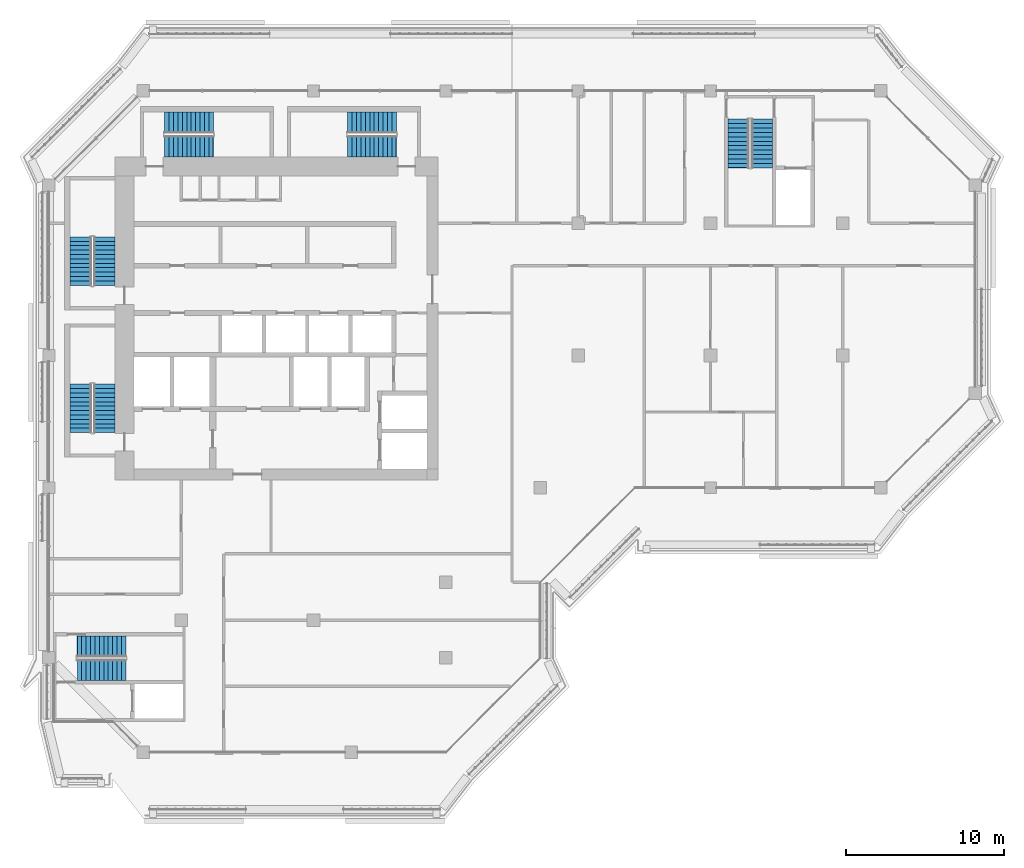
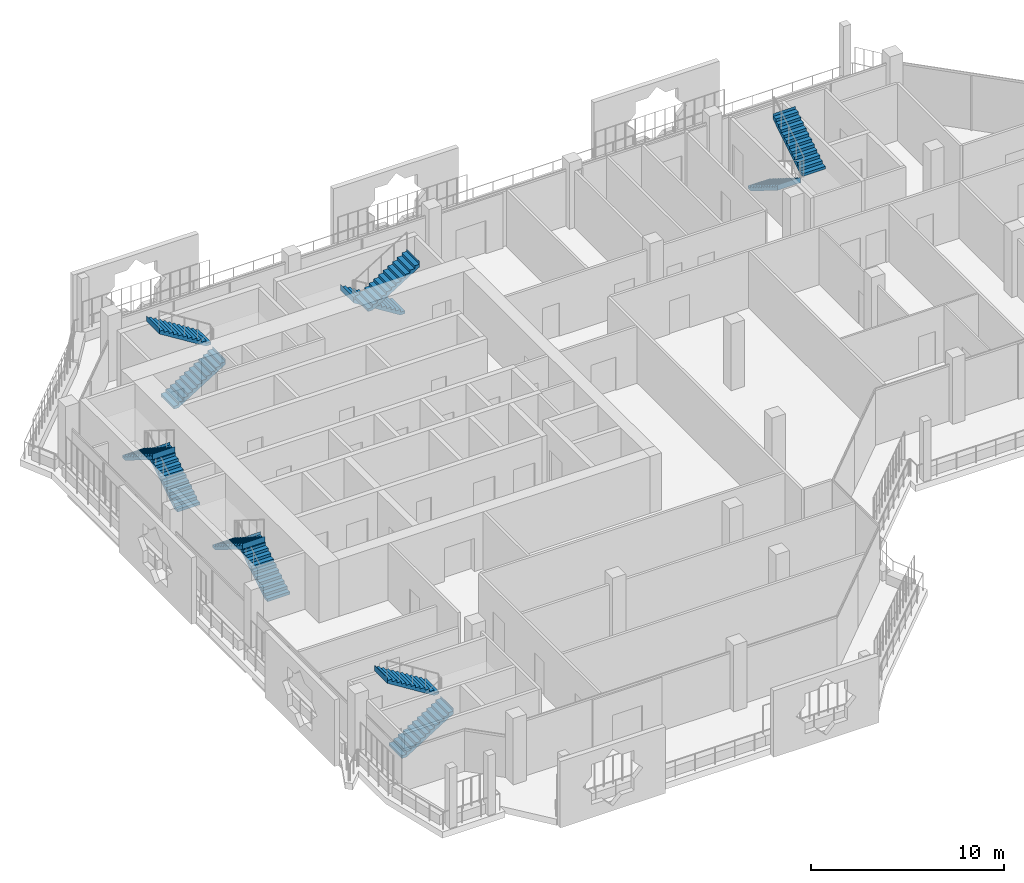
# One storey, part 14 of 21: 12 stair flights, 6 elements without a shape of their own.
"""IFC4 building model written with IfcOpenShell, lengths in metres."""

import ifcopenshell
import ifcopenshell.guid

model = None  # the IFC model being written
_history = None  # IfcOwnerHistory: only IFC2X3 demands one
_inside = {}  # id of a spatial element -> (the spatial element, [elements in it])
_under = {}  # id of a project, library or spatial element -> (it, [spatial elements below it])
_declared = {}  # id of a project -> (the project, [libraries it declares])
_typed = {}  # id of a type object -> (the type object, [elements of that type])
_made_of = {}  # id of a material, layer set ... -> (it, [elements and type objects made of it])


def new_model(schema):
    """Start an empty IFC model of exactly this schema.

    Asked for "IFC4X3", IfcOpenShell would pick the latest addendum, in which some entities
    have other attributes; the version numbers below select the first issue.
    IFC2X3 requires an IfcOwnerHistory on every rooted entity: one is made here for all.
    """
    global model, _history
    if schema == "IFC4X3":
        model = ifcopenshell.file(schema_version=(4, 3, 0, 0))
    else:
        model = ifcopenshell.file(schema=schema)
    _inside.clear()
    _under.clear()
    _declared.clear()
    _typed.clear()
    _made_of.clear()
    _history = None
    if model.schema == "IFC2X3":
        org = make("IfcOrganization", Name="unknown")
        user = make(
            "IfcPersonAndOrganization",
            ThePerson=make("IfcPerson", FamilyName="unknown"),
            TheOrganization=org,
        )
        app = make(
            "IfcApplication",
            ApplicationDeveloper=org,
            Version="unknown",
            ApplicationFullName="unknown",
            ApplicationIdentifier="unknown",
        )
        _history = make(
            "IfcOwnerHistory",
            OwningUser=user,
            OwningApplication=app,
            ChangeAction="ADDED",
            CreationDate=0,
        )
    return model


def make(cls, **values):
    """One entity of the class cls with the attributes given. An attribute that is None is left unset."""
    return model.create_entity(
        cls, **{name: value for name, value in values.items() if value is not None}
    )


def rooted(cls, **values):
    """An entity with a GlobalId (a new one), such as an element, a storey or a relation."""
    return make(cls, GlobalId=ifcopenshell.guid.new(), OwnerHistory=_history, **values)


def si_unit(unit_type, name, prefix=None):
    """IfcSIUnit, for example si_unit("LENGTHUNIT", "METRE", prefix="MILLI")."""
    return make("IfcSIUnit", UnitType=unit_type, Prefix=prefix, Name=name)


def assignment(units):
    """IfcUnitAssignment: the units of a project."""
    return None if units is None else make("IfcUnitAssignment", Units=units)


def point(xyz):
    """IfcCartesianPoint."""
    return None if xyz is None else make("IfcCartesianPoint", Coordinates=xyz)


def direction(xyz):
    """IfcDirection."""
    return None if xyz is None else make("IfcDirection", DirectionRatios=xyz)


def frame(location, z_axis=None, x_axis=None):
    """IfcAxis2Placement3D, a coordinate frame: its origin and axes. An axis left out is left unset."""
    return make(
        "IfcAxis2Placement3D",
        Location=point(location),
        Axis=direction(z_axis),
        RefDirection=direction(x_axis),
    )


def origin():
    """The frame at (0, 0, 0) with its axes left unset."""
    return frame((0.0, 0.0, 0.0))


def place(relative_to, where):
    """IfcLocalPlacement: puts the frame where relative to a parent placement (None: the world)."""
    return make(
        "IfcLocalPlacement", PlacementRelTo=relative_to, RelativePlacement=where
    )


def context(
    kind, dimensions, precision=None, world=None, true_north=None, identifier=None
):
    """IfcGeometricRepresentationContext, for example the 3D "Model" context."""
    return make(
        "IfcGeometricRepresentationContext",
        ContextIdentifier=identifier,
        ContextType=kind,
        CoordinateSpaceDimension=dimensions,
        Precision=precision,
        WorldCoordinateSystem=world,
        TrueNorth=true_north,
    )


def subcontext(parent, identifier, kind, view, scale=None):
    """IfcGeometricRepresentationSubContext, for example "Body" below "Model"."""
    return make(
        "IfcGeometricRepresentationSubContext",
        ContextIdentifier=identifier,
        ContextType=kind,
        ParentContext=parent,
        TargetScale=scale,
        TargetView=view,
    )


def project(units=None, contexts=None):
    """IfcProject with its units and contexts."""
    return rooted(
        "IfcProject",
        Name="project",
        RepresentationContexts=contexts,
        UnitsInContext=assignment(units),
    )


def spatial(cls, under=None, at=None, **own):
    """A site, building, storey or space (cls), placed at a placement, below another one or the project."""
    s = rooted(cls, ObjectPlacement=at, **own)
    if under is not None:
        _under.setdefault(under.id(), (under, []))[1].append(s)
    return s


def polyline(points):
    """IfcPolyline through the points."""
    return make("IfcPolyline", Points=[point(p) for p in points])


def outline(outer, holes=None, kind="AREA"):
    """IfcArbitraryClosedProfileDef: a profile drawn as a closed curve; with holes, ...WithVoids."""
    if holes is None:
        return make("IfcArbitraryClosedProfileDef", ProfileType=kind, OuterCurve=outer)
    return make(
        "IfcArbitraryProfileDefWithVoids",
        ProfileType=kind,
        OuterCurve=outer,
        InnerCurves=holes,
    )


def extrude(swept, where, along, depth):
    """IfcExtrudedAreaSolid: the profile swept, set in the frame where, extruded along a direction by depth."""
    return make(
        "IfcExtrudedAreaSolid",
        SweptArea=swept,
        Position=where,
        ExtrudedDirection=direction(along),
        Depth=depth,
    )


def shape(context_of_items, identifier, shape_type, items):
    """IfcShapeRepresentation: the items that make up one representation, for example the "Body"."""
    return make(
        "IfcShapeRepresentation",
        ContextOfItems=context_of_items,
        RepresentationIdentifier=identifier,
        RepresentationType=shape_type,
        Items=items,
    )


def material(Name=None, Category=None):
    """IfcMaterial."""
    return make("IfcMaterial", Name=Name, Category=Category)


def made_of(thing, what):
    """Note that an element or type object is made of a material, layer set ...; save() writes the relation."""
    if what is not None:
        _made_of.setdefault(what.id(), (what, []))[1].append(thing)
    return thing


def type_object(cls, material=None, **own):
    """A type object (cls), such as IfcWallType, which elements share."""
    return made_of(rooted(cls, **own), material)


def element(
    cls,
    number,
    at=None,
    inside=None,
    cuts=None,
    type_object=None,
    material=None,
    context=None,
    identifier="Body",
    shape_type=None,
    held_by="IfcProductDefinitionShape",
    body=None,
    shapes=None,
    **own,
):
    """One element of the class cls, such as IfcWall. Its Tag is "e" and its number.

    at: its placement. inside: the storey or other place that contains it. cuts: it is an
    opening in that element (IfcRelVoidsElement). A single representation is given by context,
    identifier, shape_type and body (its items); several are given by shapes. held_by: the class
    of the entity that holds the representations. save() writes the other relations.
    """
    e = rooted(cls, Tag="e%d" % number, ObjectPlacement=at, **own)
    if body is not None:
        shapes = [shape(context, identifier, shape_type, body)]
    if shapes is not None:
        e.Representation = make(held_by, Representations=shapes)
    if inside is not None:
        _inside.setdefault(inside.id(), (inside, []))[1].append(e)
    if cuts is not None:
        rooted(
            "IfcRelVoidsElement", RelatingBuildingElement=cuts, RelatedOpeningElement=e
        )
    if type_object is not None:
        _typed.setdefault(type_object.id(), (type_object, []))[1].append(e)
    return made_of(e, material)


def aggregate(whole, parts):
    """IfcRelAggregates: a whole, such as a stair, and the parts it consists of."""
    return rooted("IfcRelAggregates", RelatingObject=whole, RelatedObjects=parts)


def save(model, path):
    """Write the relations noted so far, then the file.

    IfcRelAggregates (storeys below a building ...), IfcRelContainedInSpatialStructure (elements
    in a storey), IfcRelDefinesByType, IfcRelAssociatesMaterial and IfcRelDeclares: one each for
    every whole, place, type object, material and project.
    """
    for whole, parts in _under.values():
        aggregate(whole, parts)
    for where, things in _inside.values():
        rooted(
            "IfcRelContainedInSpatialStructure",
            RelatedElements=things,
            RelatingStructure=where,
        )
    for kind, things in _typed.values():
        rooted("IfcRelDefinesByType", RelatedObjects=things, RelatingType=kind)
    for what, things in _made_of.values():
        rooted("IfcRelAssociatesMaterial", RelatedObjects=things, RelatingMaterial=what)
    for by, libraries in _declared.values():
        rooted("IfcRelDeclares", RelatingContext=by, RelatedDefinitions=libraries)
    model.write(path)


model = new_model("IFC4")

# Units and contexts
model_context = context("Model", 3, precision=1e-05, world=origin(), true_north=direction((0.0, 1.0)))
body_context = subcontext(model_context, "Body", "Model", "MODEL_VIEW")
ifc_project = project(units=[si_unit("LENGTHUNIT", "METRE"), si_unit("AREAUNIT", "SQUARE_METRE"), si_unit("VOLUMEUNIT", "CUBIC_METRE"), si_unit("PLANEANGLEUNIT", "RADIAN"), si_unit("MASSUNIT", "GRAM", prefix="KILO")], contexts=[model_context])

# Site, building, storey
site_placement = place(None, origin())
site = spatial("IfcSite", under=ifc_project, at=site_placement, CompositionType="ELEMENT")
building_placement = place(site_placement, origin())
building = spatial("IfcBuilding", under=site, at=building_placement, Name="Kawkab Arch Medical Tower", CompositionType="ELEMENT")
storey_placement = place(building_placement, frame((0.0, 0.0, 311.199951171875)))
storey = spatial("IfcBuildingStorey", under=building, at=storey_placement, Name="L72", CompositionType="ELEMENT", Elevation=311.199951171875)

# Stair, stair flights
ifc_material_1 = material(Name="Concrete C40/50", Category="concrete")
stair_type = type_object("IfcStairType", Name="Exit stair 1350", PredefinedType="HALF_TURN_STAIR", material=ifc_material_1)
placement = place(storey_placement, origin())
stair_1 = element("IfcStair", 1, at=placement, inside=storey, type_object=stair_type, Name="L72 Exit stair ST1", PredefinedType="HALF_TURN_STAIR")
ifc_material_2 = material(Name="Concrete C40/50", Category="concrete")
stair_flight_type = type_object("IfcStairFlightType", Name="Exit stair flight 1350", PredefinedType="STRAIGHT", material=ifc_material_2)
stair_flight_1_placement = place(storey_placement, frame((3.52490234375, -12.35009765625, 0.0), z_axis=(0.0, 0.0, 1.0), x_axis=(0.0, 1.0, 0.0)))
stair_flight_1 = element("IfcStairFlight", 2, at=stair_flight_1_placement, type_object=stair_flight_type, Name="ST1 flight 1", NumberOfRisers=12, NumberOfTreads=11, PredefinedType="STRAIGHT", RiserHeight=0.175, TreadLength=0.28, context=body_context, shape_type="SweptSolid", body=[
    extrude(outline(polyline([(-0.0029296875, 0.0), (-0.0029296875, 0.175048828125), (0.0, 0.175048828125), (0.280029296875, 0.175048828125), (0.280029296875, 0.35009765625), (0.56005859375, 0.35009765625), (0.56005859375, 0.52490234375), (0.840087890625, 0.52490234375), (0.840087890625, 0.699951171875), (1.1201171875, 0.699951171875), (1.1201171875, 0.875), (1.39990234375, 0.875), (1.39990234375, 1.050048828125), (1.679931640625, 1.050048828125), (1.679931640625, 1.22509765625), (1.9599609375, 1.22509765625), (1.9599609375, 1.39990234375), (2.239990234375, 1.39990234375), (2.239990234375, 1.574951171875), (2.52001953125, 1.574951171875), (2.52001953125, 1.75), (2.800048828125, 1.75), (2.800048828125, 1.925048828125), (3.080078125, 1.925048828125), (3.080078125, 2.10009765625), (3.0830078125, 2.10009765625), (3.0830078125, 1.748291015625), (3.080078125, 1.748291015625), (0.28271484375, 0.0), (-0.0029296875, 0.0)])), frame((0.0, 0.675048828125, 0.0), z_axis=(0.0, -1.0, 0.0), x_axis=(1.0, 0.0, 0.0)), (0.0, 0.0, 1.0), 1.35009765625),
])
stair_flight_2_placement = place(storey_placement, frame((2.02490234375, -9.27001953125, 2.10009765625), z_axis=(0.0, 0.0, 1.0), x_axis=(0.0, -1.0, 0.0)))
stair_flight_2 = element("IfcStairFlight", 3, at=stair_flight_2_placement, type_object=stair_flight_type, Name="ST1 flight 2", NumberOfRisers=12, NumberOfTreads=11, PredefinedType="STRAIGHT", RiserHeight=0.175, TreadLength=0.28, context=body_context, shape_type="SweptSolid", body=[
    extrude(outline(polyline([(-0.0029296875, 0.0), (-0.0029296875, 0.175048828125), (0.0, 0.175048828125), (0.280029296875, 0.175048828125), (0.280029296875, 0.35009765625), (0.56005859375, 0.35009765625), (0.56005859375, 0.52490234375), (0.840087890625, 0.52490234375), (0.840087890625, 0.699951171875), (1.1201171875, 0.699951171875), (1.1201171875, 0.875), (1.39990234375, 0.875), (1.39990234375, 1.050048828125), (1.679931640625, 1.050048828125), (1.679931640625, 1.22509765625), (1.9599609375, 1.22509765625), (1.9599609375, 1.39990234375), (2.239990234375, 1.39990234375), (2.239990234375, 1.574951171875), (2.52001953125, 1.574951171875), (2.52001953125, 1.75), (2.800048828125, 1.75), (2.800048828125, 1.925048828125), (3.080078125, 1.925048828125), (3.080078125, 2.10009765625), (3.0830078125, 2.10009765625), (3.0830078125, 1.748291015625), (3.080078125, 1.748291015625), (0.28271484375, 0.0), (-0.0029296875, 0.0)])), frame((0.0, 0.675048828125, 0.0), z_axis=(0.0, -1.0, 0.0), x_axis=(1.0, 0.0, 0.0)), (0.0, 0.0, 1.0), 1.35009765625),
])
aggregate(stair_1, [stair_flight_1, stair_flight_2])

stair_2 = element("IfcStair", 4, at=placement, inside=storey, type_object=stair_type, Name="L72 Exit stair ST2", PredefinedType="HALF_TURN_STAIR")
stair_flight_3_placement = place(storey_placement, frame((3.52490234375, -21.699951171875, 0.0), z_axis=(0.0, 0.0, 1.0), x_axis=(0.0, 1.0, 0.0)))
stair_flight_3 = element("IfcStairFlight", 5, at=stair_flight_3_placement, type_object=stair_flight_type, Name="ST2 flight 1", NumberOfRisers=12, NumberOfTreads=11, PredefinedType="STRAIGHT", RiserHeight=0.175, TreadLength=0.28, context=body_context, shape_type="SweptSolid", body=[
    extrude(outline(polyline([(-0.0029296875, 0.0), (-0.0029296875, 0.175048828125), (0.0, 0.175048828125), (0.280029296875, 0.175048828125), (0.280029296875, 0.35009765625), (0.56005859375, 0.35009765625), (0.56005859375, 0.52490234375), (0.840087890625, 0.52490234375), (0.840087890625, 0.699951171875), (1.1201171875, 0.699951171875), (1.1201171875, 0.875), (1.39990234375, 0.875), (1.39990234375, 1.050048828125), (1.679931640625, 1.050048828125), (1.679931640625, 1.22509765625), (1.9599609375, 1.22509765625), (1.9599609375, 1.39990234375), (2.239990234375, 1.39990234375), (2.239990234375, 1.574951171875), (2.52001953125, 1.574951171875), (2.52001953125, 1.75), (2.800048828125, 1.75), (2.800048828125, 1.925048828125), (3.080078125, 1.925048828125), (3.080078125, 2.10009765625), (3.0830078125, 2.10009765625), (3.0830078125, 1.748291015625), (3.080078125, 1.748291015625), (0.28271484375, 0.0), (-0.0029296875, 0.0)])), frame((0.0, 0.675048828125, 0.0), z_axis=(0.0, -1.0, 0.0), x_axis=(1.0, 0.0, 0.0)), (0.0, 0.0, 1.0), 1.35009765625),
])
stair_flight_4_placement = place(storey_placement, frame((2.02490234375, -18.6201171875, 2.10009765625), z_axis=(0.0, 0.0, 1.0), x_axis=(0.0, -1.0, 0.0)))
stair_flight_4 = element("IfcStairFlight", 6, at=stair_flight_4_placement, type_object=stair_flight_type, Name="ST2 flight 2", NumberOfRisers=12, NumberOfTreads=11, PredefinedType="STRAIGHT", RiserHeight=0.175, TreadLength=0.28, context=body_context, shape_type="SweptSolid", body=[
    extrude(outline(polyline([(-0.0029296875, 0.0), (-0.0029296875, 0.175048828125), (0.0, 0.175048828125), (0.280029296875, 0.175048828125), (0.280029296875, 0.35009765625), (0.56005859375, 0.35009765625), (0.56005859375, 0.52490234375), (0.840087890625, 0.52490234375), (0.840087890625, 0.699951171875), (1.1201171875, 0.699951171875), (1.1201171875, 0.875), (1.39990234375, 0.875), (1.39990234375, 1.050048828125), (1.679931640625, 1.050048828125), (1.679931640625, 1.22509765625), (1.9599609375, 1.22509765625), (1.9599609375, 1.39990234375), (2.239990234375, 1.39990234375), (2.239990234375, 1.574951171875), (2.52001953125, 1.574951171875), (2.52001953125, 1.75), (2.800048828125, 1.75), (2.800048828125, 1.925048828125), (3.080078125, 1.925048828125), (3.080078125, 2.10009765625), (3.0830078125, 2.10009765625), (3.0830078125, 1.748291015625), (3.080078125, 1.748291015625), (0.28271484375, 0.0), (-0.0029296875, 0.0)])), frame((0.0, 0.675048828125, 0.0), z_axis=(0.0, -1.0, 0.0), x_axis=(1.0, 0.0, 0.0)), (0.0, 0.0, 1.0), 1.35009765625),
])
aggregate(stair_2, [stair_flight_3, stair_flight_4])

stair_3 = element("IfcStair", 7, at=placement, inside=storey, type_object=stair_type, Name="L72 Exit stair ST3", PredefinedType="HALF_TURN_STAIR")
stair_flight_5_placement = place(storey_placement, frame((7.35009765625, -3.52490234375, 0.0), z_axis=(0.0, 0.0, 1.0), x_axis=(1.0, 0.0, 0.0)))
stair_flight_5 = element("IfcStairFlight", 8, at=stair_flight_5_placement, type_object=stair_flight_type, Name="ST3 flight 1", NumberOfRisers=12, NumberOfTreads=11, PredefinedType="STRAIGHT", RiserHeight=0.175, TreadLength=0.28, context=body_context, shape_type="SweptSolid", body=[
    extrude(outline(polyline([(-0.0029296875, 0.0), (-0.0029296875, 0.175048828125), (0.0, 0.175048828125), (0.280029296875, 0.175048828125), (0.280029296875, 0.35009765625), (0.56005859375, 0.35009765625), (0.56005859375, 0.52490234375), (0.840087890625, 0.52490234375), (0.840087890625, 0.699951171875), (1.1201171875, 0.699951171875), (1.1201171875, 0.875), (1.39990234375, 0.875), (1.39990234375, 1.050048828125), (1.679931640625, 1.050048828125), (1.679931640625, 1.22509765625), (1.9599609375, 1.22509765625), (1.9599609375, 1.39990234375), (2.239990234375, 1.39990234375), (2.239990234375, 1.574951171875), (2.52001953125, 1.574951171875), (2.52001953125, 1.75), (2.800048828125, 1.75), (2.800048828125, 1.925048828125), (3.080078125, 1.925048828125), (3.080078125, 2.10009765625), (3.0830078125, 2.10009765625), (3.0830078125, 1.748291015625), (3.080078125, 1.748291015625), (0.28271484375, 0.0), (-0.0029296875, 0.0)])), frame((0.0, 0.675048828125, 0.0), z_axis=(0.0, -1.0, 0.0), x_axis=(1.0, 0.0, 0.0)), (0.0, 0.0, 1.0), 1.35009765625),
])
stair_flight_6_placement = place(storey_placement, frame((10.429931640625, -2.02490234375, 2.10009765625), z_axis=(0.0, 0.0, 1.0), x_axis=(-1.0, 0.0, 0.0)))
stair_flight_6 = element("IfcStairFlight", 9, at=stair_flight_6_placement, type_object=stair_flight_type, Name="ST3 flight 2", NumberOfRisers=12, NumberOfTreads=11, PredefinedType="STRAIGHT", RiserHeight=0.175, TreadLength=0.28, context=body_context, shape_type="SweptSolid", body=[
    extrude(outline(polyline([(-0.0029296875, 0.0), (-0.0029296875, 0.175048828125), (0.0, 0.175048828125), (0.280029296875, 0.175048828125), (0.280029296875, 0.35009765625), (0.56005859375, 0.35009765625), (0.56005859375, 0.52490234375), (0.840087890625, 0.52490234375), (0.840087890625, 0.699951171875), (1.1201171875, 0.699951171875), (1.1201171875, 0.875), (1.39990234375, 0.875), (1.39990234375, 1.050048828125), (1.679931640625, 1.050048828125), (1.679931640625, 1.22509765625), (1.9599609375, 1.22509765625), (1.9599609375, 1.39990234375), (2.239990234375, 1.39990234375), (2.239990234375, 1.574951171875), (2.52001953125, 1.574951171875), (2.52001953125, 1.75), (2.800048828125, 1.75), (2.800048828125, 1.925048828125), (3.080078125, 1.925048828125), (3.080078125, 2.10009765625), (3.0830078125, 2.10009765625), (3.0830078125, 1.748291015625), (3.080078125, 1.748291015625), (0.28271484375, 0.0), (-0.0029296875, 0.0)])), frame((0.0, 0.675048828125, 0.0), z_axis=(0.0, -1.0, 0.0), x_axis=(1.0, 0.0, 0.0)), (0.0, 0.0, 1.0), 1.35009765625),
])
aggregate(stair_3, [stair_flight_5, stair_flight_6])

stair_4 = element("IfcStair", 10, at=placement, inside=storey, type_object=stair_type, Name="L72 Exit stair ST4", PredefinedType="HALF_TURN_STAIR")
stair_flight_7_placement = place(storey_placement, frame((22.050048828125, -2.02490234375, 0.0), z_axis=(0.0, 0.0, 1.0), x_axis=(-1.0, 0.0, 0.0)))
stair_flight_7 = element("IfcStairFlight", 11, at=stair_flight_7_placement, type_object=stair_flight_type, Name="ST4 flight 1", NumberOfRisers=12, NumberOfTreads=11, PredefinedType="STRAIGHT", RiserHeight=0.175, TreadLength=0.28, context=body_context, shape_type="SweptSolid", body=[
    extrude(outline(polyline([(-0.0029296875, 0.0), (-0.0029296875, 0.175048828125), (0.0, 0.175048828125), (0.280029296875, 0.175048828125), (0.280029296875, 0.35009765625), (0.56005859375, 0.35009765625), (0.56005859375, 0.52490234375), (0.840087890625, 0.52490234375), (0.840087890625, 0.699951171875), (1.1201171875, 0.699951171875), (1.1201171875, 0.875), (1.39990234375, 0.875), (1.39990234375, 1.050048828125), (1.679931640625, 1.050048828125), (1.679931640625, 1.22509765625), (1.9599609375, 1.22509765625), (1.9599609375, 1.39990234375), (2.239990234375, 1.39990234375), (2.239990234375, 1.574951171875), (2.52001953125, 1.574951171875), (2.52001953125, 1.75), (2.800048828125, 1.75), (2.800048828125, 1.925048828125), (3.080078125, 1.925048828125), (3.080078125, 2.10009765625), (3.0830078125, 2.10009765625), (3.0830078125, 1.748291015625), (3.080078125, 1.748291015625), (0.28271484375, 0.0), (-0.0029296875, 0.0)])), frame((0.0, 0.675048828125, 0.0), z_axis=(0.0, -1.0, 0.0), x_axis=(1.0, 0.0, 0.0)), (0.0, 0.0, 1.0), 1.35009765625),
])
stair_flight_8_placement = place(storey_placement, frame((18.969970703125, -3.52490234375, 2.10009765625), z_axis=(0.0, 0.0, 1.0), x_axis=(1.0, 0.0, 0.0)))
stair_flight_8 = element("IfcStairFlight", 12, at=stair_flight_8_placement, type_object=stair_flight_type, Name="ST4 flight 2", NumberOfRisers=12, NumberOfTreads=11, PredefinedType="STRAIGHT", RiserHeight=0.175, TreadLength=0.28, context=body_context, shape_type="SweptSolid", body=[
    extrude(outline(polyline([(-0.0029296875, 0.0), (-0.0029296875, 0.175048828125), (0.0, 0.175048828125), (0.280029296875, 0.175048828125), (0.280029296875, 0.35009765625), (0.56005859375, 0.35009765625), (0.56005859375, 0.52490234375), (0.840087890625, 0.52490234375), (0.840087890625, 0.699951171875), (1.1201171875, 0.699951171875), (1.1201171875, 0.875), (1.39990234375, 0.875), (1.39990234375, 1.050048828125), (1.679931640625, 1.050048828125), (1.679931640625, 1.22509765625), (1.9599609375, 1.22509765625), (1.9599609375, 1.39990234375), (2.239990234375, 1.39990234375), (2.239990234375, 1.574951171875), (2.52001953125, 1.574951171875), (2.52001953125, 1.75), (2.800048828125, 1.75), (2.800048828125, 1.925048828125), (3.080078125, 1.925048828125), (3.080078125, 2.10009765625), (3.0830078125, 2.10009765625), (3.0830078125, 1.748291015625), (3.080078125, 1.748291015625), (0.28271484375, 0.0), (-0.0029296875, 0.0)])), frame((0.0, 0.675048828125, 0.0), z_axis=(0.0, -1.0, 0.0), x_axis=(1.0, 0.0, 0.0)), (0.0, 0.0, 1.0), 1.35009765625),
])
aggregate(stair_4, [stair_flight_7, stair_flight_8])

stair_5 = element("IfcStair", 13, at=placement, inside=storey, type_object=stair_type, Name="L72 Exit stair ST5", PredefinedType="HALF_TURN_STAIR")
stair_flight_9_placement = place(storey_placement, frame((43.77490234375, -1.800048828125, 0.0), z_axis=(0.0, 0.0, 1.0), x_axis=(0.0, -1.0, 0.0)))
stair_flight_9 = element("IfcStairFlight", 14, at=stair_flight_9_placement, type_object=stair_flight_type, Name="ST5 flight 1", NumberOfRisers=12, NumberOfTreads=11, PredefinedType="STRAIGHT", RiserHeight=0.175, TreadLength=0.28, context=body_context, shape_type="SweptSolid", body=[
    extrude(outline(polyline([(-0.0029296875, 0.0), (-0.0029296875, 0.175048828125), (0.0, 0.175048828125), (0.280029296875, 0.175048828125), (0.280029296875, 0.35009765625), (0.56005859375, 0.35009765625), (0.56005859375, 0.52490234375), (0.840087890625, 0.52490234375), (0.840087890625, 0.699951171875), (1.1201171875, 0.699951171875), (1.1201171875, 0.875), (1.39990234375, 0.875), (1.39990234375, 1.050048828125), (1.679931640625, 1.050048828125), (1.679931640625, 1.22509765625), (1.9599609375, 1.22509765625), (1.9599609375, 1.39990234375), (2.239990234375, 1.39990234375), (2.239990234375, 1.574951171875), (2.52001953125, 1.574951171875), (2.52001953125, 1.75), (2.800048828125, 1.75), (2.800048828125, 1.925048828125), (3.080078125, 1.925048828125), (3.080078125, 2.10009765625), (3.0830078125, 2.10009765625), (3.0830078125, 1.748291015625), (3.080078125, 1.748291015625), (0.28271484375, 0.0), (-0.0029296875, 0.0)])), frame((0.0, 0.675048828125, 0.0), z_axis=(0.0, -1.0, 0.0), x_axis=(1.0, 0.0, 0.0)), (0.0, 0.0, 1.0), 1.35009765625),
])
stair_flight_10_placement = place(storey_placement, frame((45.27490234375, -4.8798828125, 2.10009765625), z_axis=(0.0, 0.0, 1.0), x_axis=(0.0, 1.0, 0.0)))
stair_flight_10 = element("IfcStairFlight", 15, at=stair_flight_10_placement, type_object=stair_flight_type, Name="ST5 flight 2", NumberOfRisers=12, NumberOfTreads=11, PredefinedType="STRAIGHT", RiserHeight=0.175, TreadLength=0.28, context=body_context, shape_type="SweptSolid", body=[
    extrude(outline(polyline([(-0.0029296875, 0.0), (-0.0029296875, 0.175048828125), (0.0, 0.175048828125), (0.280029296875, 0.175048828125), (0.280029296875, 0.35009765625), (0.56005859375, 0.35009765625), (0.56005859375, 0.52490234375), (0.840087890625, 0.52490234375), (0.840087890625, 0.699951171875), (1.1201171875, 0.699951171875), (1.1201171875, 0.875), (1.39990234375, 0.875), (1.39990234375, 1.050048828125), (1.679931640625, 1.050048828125), (1.679931640625, 1.22509765625), (1.9599609375, 1.22509765625), (1.9599609375, 1.39990234375), (2.239990234375, 1.39990234375), (2.239990234375, 1.574951171875), (2.52001953125, 1.574951171875), (2.52001953125, 1.75), (2.800048828125, 1.75), (2.800048828125, 1.925048828125), (3.080078125, 1.925048828125), (3.080078125, 2.10009765625), (3.0830078125, 2.10009765625), (3.0830078125, 1.748291015625), (3.080078125, 1.748291015625), (0.28271484375, 0.0), (-0.0029296875, 0.0)])), frame((0.0, 0.675048828125, 0.0), z_axis=(0.0, -1.0, 0.0), x_axis=(1.0, 0.0, 0.0)), (0.0, 0.0, 1.0), 1.35009765625),
])
aggregate(stair_5, [stair_flight_9, stair_flight_10])

stair_6 = element("IfcStair", 16, at=placement, inside=storey, type_object=stair_type, Name="L72 Exit stair ST6", PredefinedType="HALF_TURN_STAIR")
stair_flight_11_placement = place(storey_placement, frame((1.800048828125, -36.77490234375, 0.0), z_axis=(0.0, 0.0, 1.0), x_axis=(1.0, 0.0, 0.0)))
stair_flight_11 = element("IfcStairFlight", 17, at=stair_flight_11_placement, type_object=stair_flight_type, Name="ST6 flight 1", NumberOfRisers=12, NumberOfTreads=11, PredefinedType="STRAIGHT", RiserHeight=0.175, TreadLength=0.28, context=body_context, shape_type="SweptSolid", body=[
    extrude(outline(polyline([(-0.0029296875, 0.0), (-0.0029296875, 0.175048828125), (0.0, 0.175048828125), (0.280029296875, 0.175048828125), (0.280029296875, 0.35009765625), (0.56005859375, 0.35009765625), (0.56005859375, 0.52490234375), (0.840087890625, 0.52490234375), (0.840087890625, 0.699951171875), (1.1201171875, 0.699951171875), (1.1201171875, 0.875), (1.39990234375, 0.875), (1.39990234375, 1.050048828125), (1.679931640625, 1.050048828125), (1.679931640625, 1.22509765625), (1.9599609375, 1.22509765625), (1.9599609375, 1.39990234375), (2.239990234375, 1.39990234375), (2.239990234375, 1.574951171875), (2.52001953125, 1.574951171875), (2.52001953125, 1.75), (2.800048828125, 1.75), (2.800048828125, 1.925048828125), (3.080078125, 1.925048828125), (3.080078125, 2.10009765625), (3.0830078125, 2.10009765625), (3.0830078125, 1.748291015625), (3.080078125, 1.748291015625), (0.28271484375, 0.0), (-0.0029296875, 0.0)])), frame((0.0, 0.675048828125, 0.0), z_axis=(0.0, -1.0, 0.0), x_axis=(1.0, 0.0, 0.0)), (0.0, 0.0, 1.0), 1.35009765625),
])
stair_flight_12_placement = place(storey_placement, frame((4.8798828125, -35.27490234375, 2.10009765625), z_axis=(0.0, 0.0, 1.0), x_axis=(-1.0, 0.0, 0.0)))
stair_flight_12 = element("IfcStairFlight", 18, at=stair_flight_12_placement, type_object=stair_flight_type, Name="ST6 flight 2", NumberOfRisers=12, NumberOfTreads=11, PredefinedType="STRAIGHT", RiserHeight=0.175, TreadLength=0.28, context=body_context, shape_type="SweptSolid", body=[
    extrude(outline(polyline([(-0.0029296875, 0.0), (-0.0029296875, 0.175048828125), (0.0, 0.175048828125), (0.280029296875, 0.175048828125), (0.280029296875, 0.35009765625), (0.56005859375, 0.35009765625), (0.56005859375, 0.52490234375), (0.840087890625, 0.52490234375), (0.840087890625, 0.699951171875), (1.1201171875, 0.699951171875), (1.1201171875, 0.875), (1.39990234375, 0.875), (1.39990234375, 1.050048828125), (1.679931640625, 1.050048828125), (1.679931640625, 1.22509765625), (1.9599609375, 1.22509765625), (1.9599609375, 1.39990234375), (2.239990234375, 1.39990234375), (2.239990234375, 1.574951171875), (2.52001953125, 1.574951171875), (2.52001953125, 1.75), (2.800048828125, 1.75), (2.800048828125, 1.925048828125), (3.080078125, 1.925048828125), (3.080078125, 2.10009765625), (3.0830078125, 2.10009765625), (3.0830078125, 1.748291015625), (3.080078125, 1.748291015625), (0.28271484375, 0.0), (-0.0029296875, 0.0)])), frame((0.0, 0.675048828125, 0.0), z_axis=(0.0, -1.0, 0.0), x_axis=(1.0, 0.0, 0.0)), (0.0, 0.0, 1.0), 1.35009765625),
])
aggregate(stair_6, [stair_flight_11, stair_flight_12])

save(model, "model.ifc")
